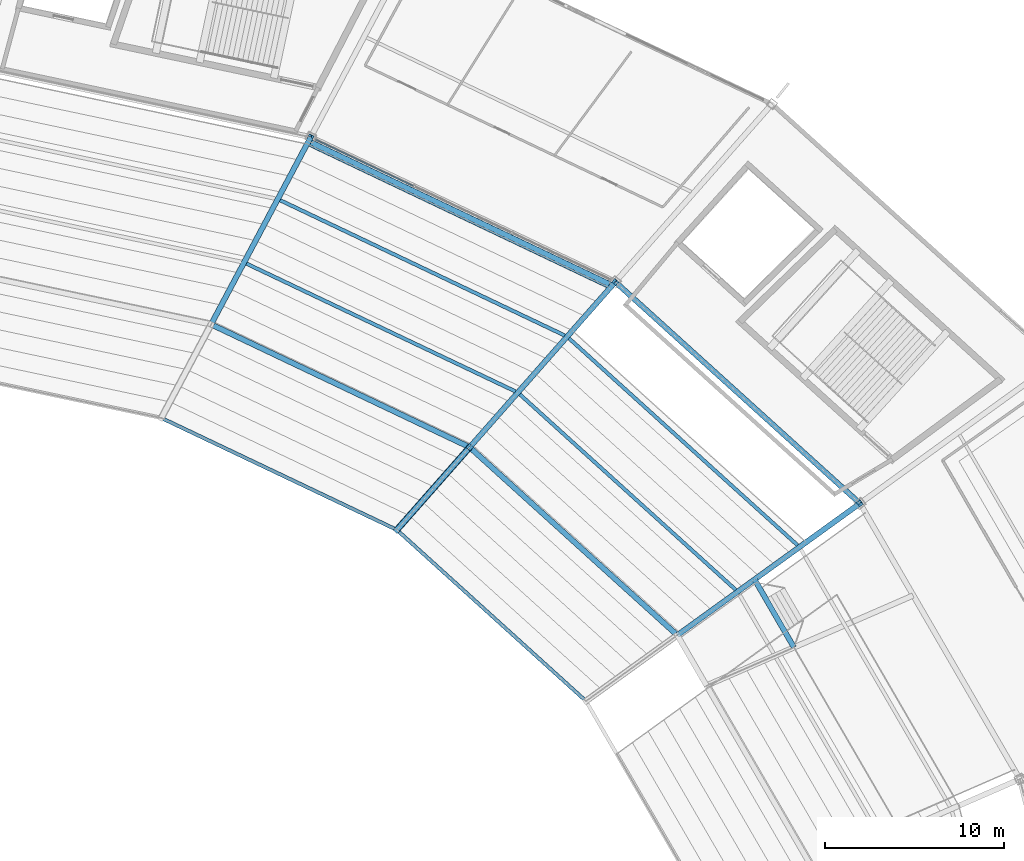
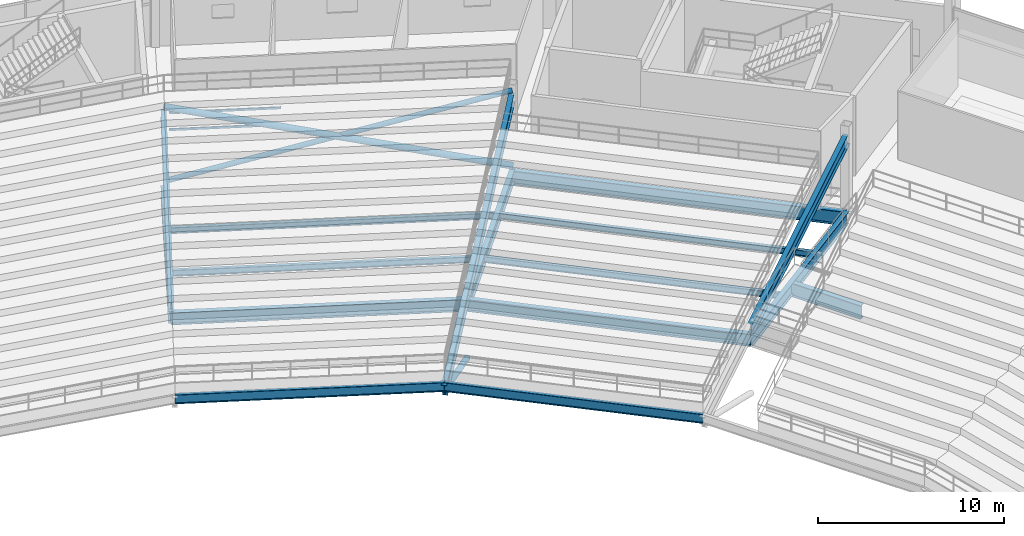
# One storey, part 107 of 186: 17 beams, 5 members, 1 element without a shape of its own.
"""IFC4 building model written with IfcOpenShell, lengths in metres."""

from ifc_helpers import new_model, si_unit, direction, frame, origin, origin_2d, place, context, subcontext, project, spatial, hollow_rectangle, hollow_circle, i_section, extrude, material, layer, layer_set, material_profile, profile_set, type_object, element, aggregate, save


model = new_model("IFC4")

# Units and contexts
model_context = context("Model", 3, precision=1e-05, world=origin(), true_north=direction((0.0, 1.0)))
body_context = subcontext(model_context, "Body", "Model", "MODEL_VIEW")
ifc_project = project(units=[si_unit("LENGTHUNIT", "METRE"), si_unit("AREAUNIT", "SQUARE_METRE"), si_unit("VOLUMEUNIT", "CUBIC_METRE"), si_unit("PLANEANGLEUNIT", "RADIAN"), si_unit("MASSUNIT", "GRAM", prefix="KILO")], contexts=[model_context])

# Site, building, storey
site_placement = place(None, origin())
site = spatial("IfcSite", under=ifc_project, at=site_placement, CompositionType="ELEMENT")
building_placement = place(site_placement, origin())
building = spatial("IfcBuilding", under=site, at=building_placement, Name="Kazemori Nagisa Stadium", CompositionType="ELEMENT")
storey_placement = place(building_placement, frame((0.0, 0.0, 20.39990234375)))
storey = spatial("IfcBuildingStorey", under=building, at=storey_placement, Name="L04", CompositionType="ELEMENT", Elevation=20.39990234375)

# Beams
ifc_material_1 = material(Name="Steel SN490B", Category="steel")
ifc_material_profile_1 = material_profile(ifc_material_1, i_section(OverallWidth=0.300048828125, OverallDepth=0.800048828125, WebThickness=0.013916015625, FlangeThickness=0.02587890625, FilletRadius=0.01806640625, at=origin_2d()), Name="H-800x300x14x26")
ifc_profile_set_1 = profile_set([ifc_material_profile_1], Name="Steel SN490B")
beam_type_1 = type_object("IfcBeamType", Name="Beam_BG-H800", PredefinedType="BEAM", material=ifc_profile_set_1)
beam_1_placement = place(storey_placement, frame((180.301513671875, 143.367431640625, -0.699951171875), z_axis=(-0.741349160152, 0.6711195294, 0.0), x_axis=(-0.6711195294, -0.741349160152, 0.0)))
element("IfcBeam", 1, at=beam_1_placement, inside=storey, type_object=beam_type_1, Name="Ring girder BG-H800 L04 R1-04", PredefinedType="BEAM", context=body_context, shape_type="SweptSolid", body=[
    extrude(i_section(OverallWidth=0.300048828125, OverallDepth=0.800048828125, WebThickness=0.013916015625, FlangeThickness=0.02587890625, FilletRadius=0.01806640625, at=origin_2d()), origin(), (0.0, 0.0, 1.0), 15.65380859375),
])
beam_2_placement = place(storey_placement, frame((168.696533203125, 153.873046875, -0.699951171875), z_axis=(-0.903211989129, 0.429194714196, 0.0), x_axis=(-0.429194714196, -0.903211989129, 0.0)))
element("IfcBeam", 2, at=beam_2_placement, inside=storey, type_object=beam_type_1, Name="Ring girder BG-H800 L04 R1-05", PredefinedType="BEAM", context=body_context, shape_type="SweptSolid", body=[
    extrude(i_section(OverallWidth=0.300048828125, OverallDepth=0.800048828125, WebThickness=0.013916015625, FlangeThickness=0.02587890625, FilletRadius=0.01806640625, at=origin_2d()), origin(), (0.0, 0.0, 1.0), 15.997314453125),
])
beam_3_placement = place(storey_placement, frame((180.301513671875, 143.367431640625, -0.699951171875), z_axis=(0.810802996314, 0.585319144714, 0.0), x_axis=(-0.585319144714, 0.810802996314, 0.0)))
element("IfcBeam", 3, at=beam_3_placement, inside=storey, type_object=beam_type_1, Name="Radial girder BG-H800 L04 R1-R2-04", PredefinedType="BEAM", context=body_context, shape_type="SweptSolid", body=[
    extrude(i_section(OverallWidth=0.300048828125, OverallDepth=0.800048828125, WebThickness=0.013916015625, FlangeThickness=0.02587890625, FilletRadius=0.01806640625, at=origin_2d()), origin(), (0.0, 0.0, 1.0), 12.585693359375),
])
beam_4_placement = place(storey_placement, frame((168.696533203125, 153.873046875, -0.699951171875), z_axis=(0.66101406015, 0.75037351518, 0.0), x_axis=(-0.75037351518, 0.66101406015, 0.0)))
element("IfcBeam", 4, at=beam_4_placement, inside=storey, type_object=beam_type_1, Name="Radial girder BG-H800 L04 R1-R2-05", PredefinedType="BEAM", context=body_context, shape_type="SweptSolid", body=[
    extrude(i_section(OverallWidth=0.300048828125, OverallDepth=0.800048828125, WebThickness=0.013916015625, FlangeThickness=0.02587890625, FilletRadius=0.01806640625, at=origin_2d()), origin(), (0.0, 0.0, 1.0), 12.31103515625),
])
beam_5_placement = place(storey_placement, frame((154.24755859375, 160.739013671875, -0.699951171875), z_axis=(0.469646804203, 0.882854393036, 0.0), x_axis=(-0.882854393036, 0.469646804203, 0.0)))
element("IfcBeam", 5, at=beam_5_placement, inside=storey, type_object=beam_type_1, Name="Radial girder BG-H800 L04 R1-R2-06", PredefinedType="BEAM", context=body_context, shape_type="SweptSolid", body=[
    extrude(i_section(OverallWidth=0.300048828125, OverallDepth=0.800048828125, WebThickness=0.013916015625, FlangeThickness=0.02587890625, FilletRadius=0.01806640625, at=origin_2d()), origin(), (0.0, 0.0, 1.0), 11.84814453125),
])
ifc_material_profile_2 = material_profile(ifc_material_1, i_section(OverallWidth=0.300048828125, OverallDepth=0.89990234375, WebThickness=0.01611328125, FlangeThickness=0.028076171875, FilletRadius=0.01806640625, at=origin_2d()), Name="H-900x300x16x28")
ifc_profile_set_2 = profile_set([ifc_material_profile_2], Name="Steel SN490B")
beam_type_2 = type_object("IfcBeamType", Name="Beam_BG-H900", PredefinedType="BEAM", material=ifc_profile_set_2)
beam_6_placement = place(storey_placement, frame((190.506103515625, 150.734130859375, -0.75), z_axis=(-0.741349142139, 0.671119549298, 0.0), x_axis=(-0.671119549298, -0.741349142139, 0.0)))
element("IfcBeam", 6, at=beam_6_placement, inside=storey, type_object=beam_type_2, Name="Ring girder BG-H900 L04 R2-04", PredefinedType="BEAM", context=body_context, shape_type="SweptSolid", body=[
    extrude(i_section(OverallWidth=0.300048828125, OverallDepth=0.89990234375, WebThickness=0.01611328125, FlangeThickness=0.028076171875, FilletRadius=0.01806640625, at=origin_2d()), origin(), (0.0, 0.0, 1.0), 18.44189453125),
])
ifc_material_profile_3 = material_profile(ifc_material_1, i_section(OverallWidth=0.300048828125, OverallDepth=0.89990234375, WebThickness=0.01806640625, FlangeThickness=0.031982421875, FilletRadius=0.01806640625, at=origin_2d()), Name="H-900x300x18x32")
ifc_profile_set_3 = profile_set([ifc_material_profile_3], Name="Steel SN490B")
beam_type_3 = type_object("IfcBeamType", Name="Beam_BG-TR900", PredefinedType="BEAM", material=ifc_profile_set_3)
beam_7_placement = place(storey_placement, frame((186.820556640625, 142.68701171875, -0.75), z_axis=(-0.501604043394, 0.865097326115, 0.0), x_axis=(-0.865097326115, -0.501604043394, 0.0)))
element("IfcBeam", 7, at=beam_7_placement, inside=storey, type_object=beam_type_3, Name="Upper vomitory portal header girder B03", PredefinedType="BEAM", context=body_context, shape_type="SweptSolid", body=[
    extrude(i_section(OverallWidth=0.300048828125, OverallDepth=0.89990234375, WebThickness=0.01806640625, FlangeThickness=0.031982421875, FilletRadius=0.01806640625, at=origin_2d()), origin(), (0.0, 0.0, 1.0), 4.38916015625),
])
ifc_material_profile_4 = material_profile(ifc_material_1, i_section(OverallWidth=0.199951171875, OverallDepth=0.39990234375, WebThickness=0.008056640625, FlangeThickness=0.012939453125, FilletRadius=0.012939453125, at=origin_2d()), Name="H-400x200x8x13")
ifc_profile_set_4 = profile_set([ifc_material_profile_4], Name="Steel SN490B")
beam_type_4 = type_object("IfcBeamType", Name="Beam_BJ-H400", PredefinedType="JOIST", material=ifc_profile_set_4)
beam_8_placement = place(storey_placement, frame((183.5693359375, 145.9013671875, -0.5), z_axis=(-0.741343259913, 0.671126047015, 0.0), x_axis=(-0.671126047015, -0.741343259913, 0.0)))
element("IfcBeam", 8, at=beam_8_placement, inside=storey, type_object=beam_type_4, Name="Concourse joist BJ-H400 L04 B04-1", PredefinedType="JOIST", context=body_context, shape_type="SweptSolid", body=[
    extrude(i_section(OverallWidth=0.199951171875, OverallDepth=0.39990234375, WebThickness=0.008056640625, FlangeThickness=0.012939453125, FilletRadius=0.012939453125, at=origin_2d()), origin(), (0.0, 0.0, 1.0), 16.285888671875),
])
beam_9_placement = place(storey_placement, frame((187.023193359375, 148.394775390625, -0.5), z_axis=(-0.741354140692, 0.671114027628, 0.0), x_axis=(-0.671114027628, -0.741354140692, 0.0)))
element("IfcBeam", 9, at=beam_9_placement, inside=storey, type_object=beam_type_4, Name="Concourse joist BJ-H400 L04 B04-2", PredefinedType="JOIST", context=body_context, shape_type="SweptSolid", body=[
    extrude(i_section(OverallWidth=0.199951171875, OverallDepth=0.39990234375, WebThickness=0.008056640625, FlangeThickness=0.012939453125, FilletRadius=0.012939453125, at=origin_2d()), origin(), (0.0, 0.0, 1.0), 17.2294921875),
])
beam_10_placement = place(storey_placement, frame((171.25732421875, 156.99072265625, -0.5), z_axis=(-0.903212567419, 0.429193497221, 0.0), x_axis=(-0.429193497221, -0.903212567419, 0.0)))
element("IfcBeam", 10, at=beam_10_placement, inside=storey, type_object=beam_type_4, Name="Concourse joist BJ-H400 L04 B05-1", PredefinedType="JOIST", context=body_context, shape_type="SweptSolid", body=[
    extrude(i_section(OverallWidth=0.199951171875, OverallDepth=0.39990234375, WebThickness=0.008056640625, FlangeThickness=0.012939453125, FilletRadius=0.012939453125, at=origin_2d()), origin(), (0.0, 0.0, 1.0), 16.64990234375),
])
beam_11_placement = place(storey_placement, frame((174.011474609375, 160.117431640625, -0.5), z_axis=(-0.90321531537, 0.429187714272, 0.0), x_axis=(-0.429187714272, -0.90321531537, 0.0)))
element("IfcBeam", 11, at=beam_11_placement, inside=storey, type_object=beam_type_4, Name="Concourse joist BJ-H400 L04 B05-2", PredefinedType="JOIST", context=body_context, shape_type="SweptSolid", body=[
    extrude(i_section(OverallWidth=0.199951171875, OverallDepth=0.39990234375, WebThickness=0.008056640625, FlangeThickness=0.012939453125, FilletRadius=0.012939453125, at=origin_2d()), origin(), (0.0, 0.0, 1.0), 17.61376953125),
])
ifc_material_profile_5 = material_profile(ifc_material_1, i_section(OverallWidth=0.199951171875, OverallDepth=0.60009765625, WebThickness=0.010986328125, FlangeThickness=0.01708984375, FilletRadius=0.012939453125, at=origin_2d()), Name="H-600x200x11x17")
ifc_profile_set_5 = profile_set([ifc_material_profile_5], Name="Steel SN490B")
beam_type_5 = type_object("IfcBeamType", Name="Beam_BS-H600", PredefinedType="SPANDREL", material=ifc_profile_set_5)
beam_12_placement = place(storey_placement, frame((175.199462890625, 139.68408203125, -1.885009765625), z_axis=(-0.7413568829, 0.671110998402, 0.0), x_axis=(-0.671110998402, -0.7413568829, 0.0)))
element("IfcBeam", 12, at=beam_12_placement, inside=storey, type_object=beam_type_5, Name="Upper tier front ring beam 04", PredefinedType="SPANDREL", context=body_context, shape_type="SweptSolid", body=[
    extrude(i_section(OverallWidth=0.199951171875, OverallDepth=0.60009765625, WebThickness=0.010986328125, FlangeThickness=0.01708984375, FilletRadius=0.012939453125, at=origin_2d()), origin(), (0.0, 0.0, 1.0), 14.260009765625),
])
beam_13_placement = place(storey_placement, frame((164.627685546875, 149.254150390625, -1.885009765625), z_axis=(-0.903213541292, 0.429191447757, 0.0), x_axis=(-0.429191447757, -0.903213541292, 0.0)))
element("IfcBeam", 13, at=beam_13_placement, inside=storey, type_object=beam_type_5, Name="Upper tier front ring beam 05", PredefinedType="SPANDREL", context=body_context, shape_type="SweptSolid", body=[
    extrude(i_section(OverallWidth=0.199951171875, OverallDepth=0.60009765625, WebThickness=0.010986328125, FlangeThickness=0.01708984375, FilletRadius=0.012939453125, at=origin_2d()), origin(), (0.0, 0.0, 1.0), 14.572998046875),
])
ifc_material_profile_6 = material_profile(ifc_material_1, i_section(OverallWidth=0.300048828125, OverallDepth=0.800048828125, WebThickness=0.013916015625, FlangeThickness=0.02587890625, FilletRadius=0.01806640625, at=origin_2d()), Name="H-800x300x14x26")
ifc_profile_set_6 = profile_set([ifc_material_profile_6], Name="Steel SN490B")
beam_type_6 = type_object("IfcBeamType", Name="Beam_RK-ST800", PredefinedType="USERDEFINED", material=ifc_profile_set_6)
beam_14_placement = place(storey_placement, frame((180.301513671875, 143.367431640625, 0.02001953125), z_axis=(0.76480540319, 0.552113456047, 0.332029256096), x_axis=(-0.585319144714, 0.810802996314, 0.0)))
element("IfcBeam", 14, at=beam_14_placement, inside=storey, type_object=beam_type_6, Name="Raker beam upper backspan RK3-04B", ObjectType="RAKER BEAM", PredefinedType="USERDEFINED", context=body_context, shape_type="SweptSolid", body=[
    extrude(i_section(OverallWidth=0.300048828125, OverallDepth=0.800048828125, WebThickness=0.013916015625, FlangeThickness=0.02587890625, FilletRadius=0.01806640625, at=origin_2d()), origin(), (0.0, 0.0, 1.0), 13.3427734375),
])
beam_15_placement = place(storey_placement, frame((168.696533203125, 153.873046875, 0.02001953125), z_axis=(0.621968103391, 0.706049114848, 0.338600540146), x_axis=(-0.75037351518, 0.66101406015, 0.0)))
element("IfcBeam", 15, at=beam_15_placement, inside=storey, type_object=beam_type_6, Name="Raker beam upper backspan RK3-05B", ObjectType="RAKER BEAM", PredefinedType="USERDEFINED", context=body_context, shape_type="SweptSolid", body=[
    extrude(i_section(OverallWidth=0.300048828125, OverallDepth=0.800048828125, WebThickness=0.013916015625, FlangeThickness=0.02587890625, FilletRadius=0.01806640625, at=origin_2d()), origin(), (0.0, 0.0, 1.0), 13.083740234375),
])
beam_16_placement = place(storey_placement, frame((154.24755859375, 160.739013671875, 0.02001953125), z_axis=(0.439901103291, 0.826937643493, 0.350230143046), x_axis=(-0.882854393036, 0.469646804203, 0.0)))
element("IfcBeam", 16, at=beam_16_placement, inside=storey, type_object=beam_type_6, Name="Raker beam upper backspan RK3-06B", ObjectType="RAKER BEAM", PredefinedType="USERDEFINED", context=body_context, shape_type="SweptSolid", body=[
    extrude(i_section(OverallWidth=0.300048828125, OverallDepth=0.800048828125, WebThickness=0.013916015625, FlangeThickness=0.02587890625, FilletRadius=0.01806640625, at=origin_2d()), origin(), (0.0, 0.0, 1.0), 12.6494140625),
])
ifc_material_profile_7 = material_profile(ifc_material_1, i_section(OverallWidth=0.300048828125, OverallDepth=0.89990234375, WebThickness=0.01611328125, FlangeThickness=0.028076171875, FilletRadius=0.01806640625, at=origin_2d()), Name="H-900x300x16x28")
ifc_profile_set_7 = profile_set([ifc_material_profile_7], Name="Steel SN490B")
beam_type_7 = type_object("IfcBeamType", Name="Beam_RK-ST900", PredefinedType="USERDEFINED", material=ifc_profile_set_7)
beam_17_placement = place(storey_placement, frame((164.627685546875, 149.254150390625, -2.14990234375), z_axis=(0.623412293651, 0.707688538557, 0.332466606623), x_axis=(-0.75037351518, 0.66101406015, 0.0)))
element("IfcBeam", 17, at=beam_17_placement, inside=storey, type_object=beam_type_7, Name="Raker beam upper cantilever RK3-05A", ObjectType="RAKER BEAM", PredefinedType="USERDEFINED", context=body_context, shape_type="SweptSolid", body=[
    extrude(i_section(OverallWidth=0.300048828125, OverallDepth=0.89990234375, WebThickness=0.01611328125, FlangeThickness=0.028076171875, FilletRadius=0.01806640625, at=origin_2d()), origin(), (0.0, 0.0, 1.0), 6.52685546875),
])

# Members
ifc_material_2 = material(Name="Steel STK490", Category="steel")
ifc_material_profile_8 = material_profile(ifc_material_2, hollow_circle(Radius=0.1591796875, WallThickness=0.01025390625, at=origin_2d()), Name="CHS-318.5x10.3")
ifc_profile_set_8 = profile_set([ifc_material_profile_8], Name="Steel STK490")
member_type_1 = type_object("IfcMemberType", Name="Member_TB-CHS318", PredefinedType="BRACE", material=ifc_profile_set_8)
member_1_placement = place(storey_placement, frame((159.703125, 170.9697265625, 0.150146484375), z_axis=(0.873703393319, -0.415154158895, 0.253553554213), x_axis=(0.42917915404, 0.90321938295, 0.0)))
element("IfcMember", 18, at=member_1_placement, inside=storey, type_object=member_type_1, Name="Seismic brace TB-CHS318 L04 B05-B", PredefinedType="BRACE", context=body_context, shape_type="SweptSolid", body=[
    extrude(hollow_circle(Radius=0.1591796875, WallThickness=0.01025390625, at=origin_2d()), origin(), (0.0, 0.0, 1.0), 19.48291015625),
])
ifc_material_profile_9 = material_profile(ifc_material_2, hollow_circle(Radius=0.177734375, WallThickness=0.0126953125, at=origin_2d()), Name="CHS-355.6x12.7")
ifc_profile_set_9 = profile_set([ifc_material_profile_9], Name="Steel STK490")
member_type_2 = type_object("IfcMemberType", Name="Member_TB-CHS355", PredefinedType="BRACE", material=ifc_profile_set_9)
member_2_placement = place(storey_placement, frame((168.696533203125, 153.873046875, -4.25), z_axis=(-0.625605483799, -0.710178216008, 0.322900418315), x_axis=(0.75037351518, -0.66101406015, 0.0)))
element("IfcMember", 19, at=member_2_placement, inside=storey, type_object=member_type_2, Name="Upper tier cantilever truss strut UT-05", PredefinedType="BRACE", context=body_context, shape_type="SweptSolid", body=[
    extrude(hollow_circle(Radius=0.177734375, WallThickness=0.0126953125, at=origin_2d()), origin(), (0.0, 0.0, 1.0), 6.50390625),
])
ifc_material_profile_10 = material_profile(ifc_material_2, hollow_circle(Radius=0.203125, WallThickness=0.014404296875, at=origin_2d()), Name="CHS-406.4x14.3")
ifc_profile_set_10 = profile_set([ifc_material_profile_10], Name="Steel STK490")
member_type_3 = type_object("IfcMemberType", Name="Member_TB-CHS406", PredefinedType="BRACE", material=ifc_profile_set_10)
member_3_placement = place(storey_placement, frame((176.70556640625, 162.83984375, 0.150146484375), z_axis=(-0.873703393319, 0.415154158895, 0.253553554213), x_axis=(-0.42917915404, -0.90321938295, 0.0)))
element("IfcMember", 20, at=member_3_placement, inside=storey, type_object=member_type_3, Name="Seismic brace TB-CHS355 L04 B05-A", PredefinedType="BRACE", context=body_context, shape_type="SweptSolid", body=[
    extrude(hollow_circle(Radius=0.203125, WallThickness=0.014404296875, at=origin_2d()), origin(), (0.0, 0.0, 1.0), 19.48291015625),
])

# Curtain wall, members
ifc_material_3 = material(Name="Anodised aluminium 6063-T5", Category="aluminium")
ifc_layer = layer(ifc_material_3, 0.179931640625, Name="Anodised aluminium 6063-T5", Category="aluminium")
ifc_layer_set = layer_set([ifc_layer], Name="Anodised aluminium 6063-T5")
curtain_wall_type = type_object("IfcCurtainWallType", Name="CW_L04B_92", PredefinedType="USERDEFINED", material=ifc_layer_set)
curtain_wall_placement = place(storey_placement, origin())
curtain_wall = element("IfcCurtainWall", 21, at=curtain_wall_placement, inside=storey, type_object=curtain_wall_type, Name="Unitised curtain wall CW-L04B-92 L04", ObjectType="UNITISED CURTAIN WALL", PredefinedType="USERDEFINED")
ifc_material_4 = material(Name="Aluminium 6063-T5 anodised", Category="aluminium")
ifc_material_profile_11 = material_profile(ifc_material_4, hollow_rectangle(XDim=0.070068359375, YDim=0.139892578125, WallThickness=0.00390625, at=origin_2d()), Name="ALU-TRAN-70x140x4")
ifc_profile_set_11 = profile_set([ifc_material_profile_11], Name="Aluminium 6063-T5 anodised")
member_type_4 = type_object("IfcMemberType", Name="Transom_T01", PredefinedType="USERDEFINED", material=ifc_profile_set_11)
member_4_placement = place(storey_placement, frame((165.556884765625, 168.469482421875, 3.352294921875), z_axis=(-0.903220759111, 0.429176257861, 0.0), x_axis=(-0.429176257861, -0.903220759111, 0.0)))
member_4 = element("IfcMember", 22, at=member_4_placement, type_object=member_type_4, Name="Curtain wall transom CW-L04B-92-T3-mid", ObjectType="TRANSOM", PredefinedType="USERDEFINED", context=body_context, shape_type="SweptSolid", body=[
    extrude(hollow_rectangle(XDim=0.070068359375, YDim=0.139892578125, WallThickness=0.00390625, at=origin_2d()), origin(), (0.0, 0.0, 1.0), 6.045166015625),
])
member_5_placement = place(storey_placement, frame((165.556884765625, 168.469482421875, 4.460205078125), z_axis=(-0.903220759111, 0.429176257861, 0.0), x_axis=(-0.429176257861, -0.903220759111, 0.0)))
member_5 = element("IfcMember", 23, at=member_5_placement, type_object=member_type_4, Name="Curtain wall transom CW-L04B-92-T3-head", ObjectType="TRANSOM", PredefinedType="USERDEFINED", context=body_context, shape_type="SweptSolid", body=[
    extrude(hollow_rectangle(XDim=0.070068359375, YDim=0.139892578125, WallThickness=0.00390625, at=origin_2d()), origin(), (0.0, 0.0, 1.0), 6.045166015625),
])
aggregate(curtain_wall, [member_4, member_5])

save(model, "model.ifc")
